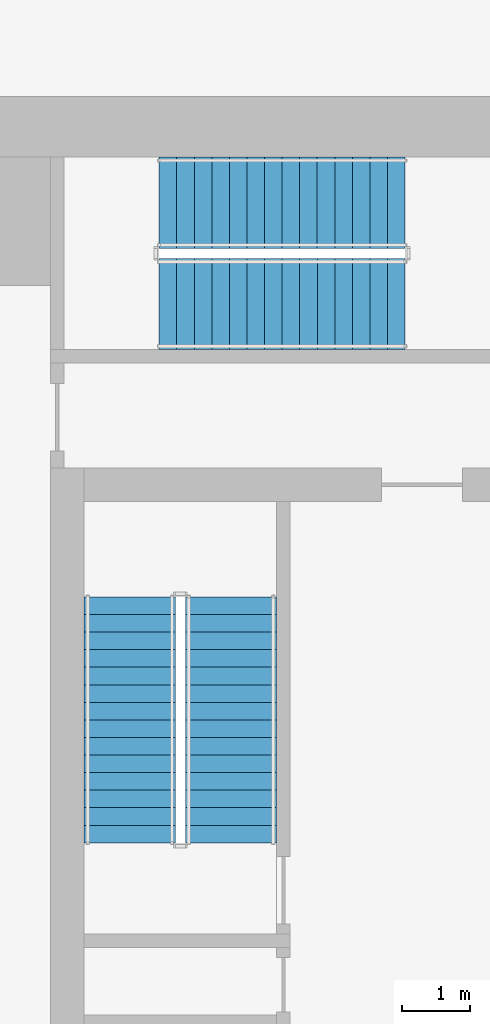
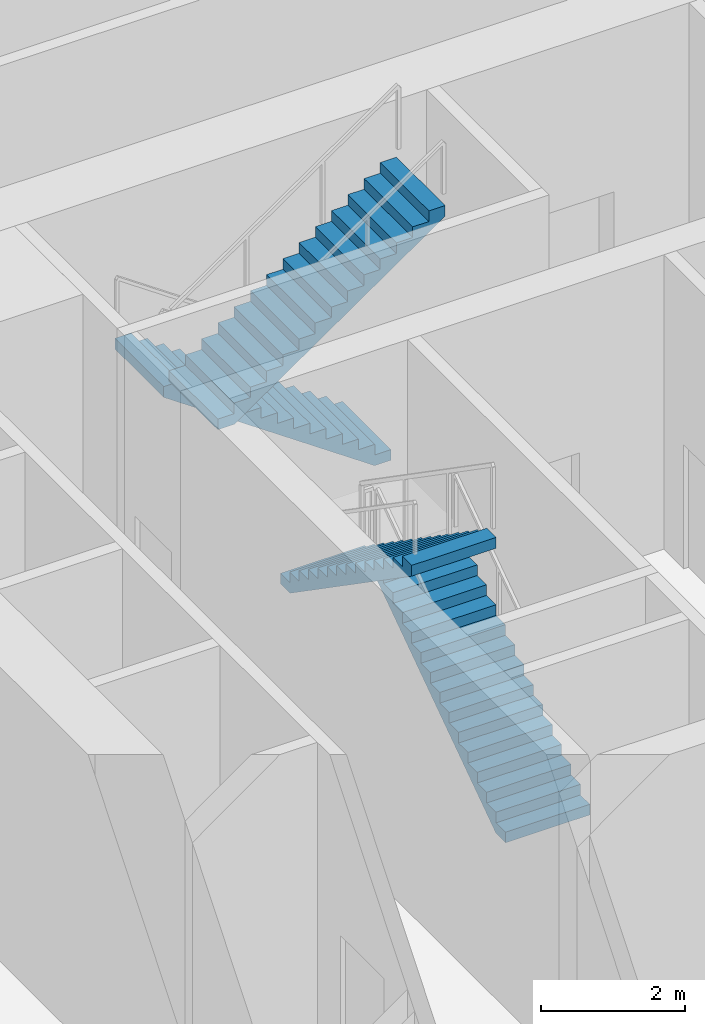
# One storey, part 12 of 17: 4 stair flights, 2 elements without a shape of their own.
"""IFC4 building model written with IfcOpenShell, lengths in metres."""

from ifc_helpers import new_model, si_unit, direction, frame, origin, place, context, subcontext, project, spatial, polyline, outline, extrude, material, type_object, element, aggregate, save


model = new_model("IFC4")

# Units and contexts
model_context = context("Model", 3, precision=1e-05, world=origin(), true_north=direction((0.0, 1.0)))
body_context = subcontext(model_context, "Body", "Model", "MODEL_VIEW")
ifc_project = project(units=[si_unit("LENGTHUNIT", "METRE"), si_unit("AREAUNIT", "SQUARE_METRE"), si_unit("VOLUMEUNIT", "CUBIC_METRE"), si_unit("PLANEANGLEUNIT", "RADIAN"), si_unit("MASSUNIT", "GRAM", prefix="KILO")], contexts=[model_context])

# Site, building, storey
site_placement = place(None, origin())
site = spatial("IfcSite", under=ifc_project, at=site_placement, CompositionType="ELEMENT")
building_placement = place(site_placement, origin())
building = spatial("IfcBuilding", under=site, at=building_placement, Name="Khepri Terraces", CompositionType="ELEMENT")
storey_placement = place(building_placement, frame((0.0, 0.0, 73.800048828125)))
storey = spatial("IfcBuildingStorey", under=building, at=storey_placement, Name="L17", CompositionType="ELEMENT", Elevation=73.800048828125)

# Stair, stair flights
ifc_material = material(Name="Concrete C40/50", Category="concrete")
stair_type = type_object("IfcStairType", Name="STAIR-RC-30R", PredefinedType="HALF_TURN_STAIR", material=ifc_material)
stair_1_placement = place(storey_placement, origin())
stair_1 = element("IfcStair", 1, at=stair_1_placement, inside=storey, type_object=stair_type, Name="L17 Exit Stair ST-1", PredefinedType="HALF_TURN_STAIR")
stair_flight_type = type_object("IfcStairFlightType", Name="SFL-RC-180", PredefinedType="STRAIGHT", material=ifc_material)
stair_flight_1_placement = place(storey_placement, frame((-2.824951171875, -0.050048828125, 0.0), z_axis=(0.0, 0.0, 1.0), x_axis=(0.0, 1.0, 0.0)))
stair_flight_1 = element("IfcStairFlight", 2, at=stair_flight_1_placement, type_object=stair_flight_type, Name="ST-1 flight 1", NumberOfRisers=15, NumberOfTreads=14, PredefinedType="STRAIGHT", RiserHeight=0.18, TreadLength=0.26, context=body_context, shape_type="SweptSolid", body=[
    extrude(outline(polyline([(0.0, 0.0), (0.0, 0.179931640625), (0.260009765625, 0.179931640625), (0.260009765625, 0.360107421875), (0.52001953125, 0.360107421875), (0.52001953125, 0.5400390625), (0.780029296875, 0.5400390625), (0.780029296875, 0.719970703125), (1.0400390625, 0.719970703125), (1.0400390625, 0.89990234375), (1.300048828125, 0.89990234375), (1.300048828125, 1.080078125), (1.56005859375, 1.080078125), (1.56005859375, 1.260009765625), (1.820068359375, 1.260009765625), (1.820068359375, 1.43994140625), (2.080078125, 1.43994140625), (2.080078125, 1.6201171875), (2.340087890625, 1.6201171875), (2.340087890625, 1.800048828125), (2.60009765625, 1.800048828125), (2.60009765625, 1.97998046875), (2.860107421875, 1.97998046875), (2.860107421875, 2.159912109375), (3.1201171875, 2.159912109375), (3.1201171875, 2.340087890625), (3.3798828125, 2.340087890625), (3.3798828125, 2.52001953125), (3.639892578125, 2.52001953125), (3.639892578125, 2.699951171875), (3.639892578125, 2.337646484375), (0.263427734375, 0.0), (0.0, 0.0)])), frame((0.0, 0.675048828125, 0.0), z_axis=(0.0, -1.0, 0.0), x_axis=(1.0, 0.0, 0.0)), (0.0, 0.0, 1.0), 1.35009765625),
])
stair_flight_2_placement = place(storey_placement, frame((-4.324951171875, 3.590087890625, 2.699951171875), z_axis=(0.0, 0.0, 1.0), x_axis=(0.0, -1.0, 0.0)))
stair_flight_2 = element("IfcStairFlight", 3, at=stair_flight_2_placement, type_object=stair_flight_type, Name="ST-1 flight 2", NumberOfRisers=15, NumberOfTreads=14, PredefinedType="STRAIGHT", RiserHeight=0.18, TreadLength=0.26, context=body_context, shape_type="SweptSolid", body=[
    extrude(outline(polyline([(0.0, 0.0), (0.0, 0.179931640625), (0.260009765625, 0.179931640625), (0.260009765625, 0.360107421875), (0.52001953125, 0.360107421875), (0.52001953125, 0.5400390625), (0.780029296875, 0.5400390625), (0.780029296875, 0.719970703125), (1.0400390625, 0.719970703125), (1.0400390625, 0.89990234375), (1.300048828125, 0.89990234375), (1.300048828125, 1.080078125), (1.56005859375, 1.080078125), (1.56005859375, 1.260009765625), (1.820068359375, 1.260009765625), (1.820068359375, 1.43994140625), (2.080078125, 1.43994140625), (2.080078125, 1.6201171875), (2.340087890625, 1.6201171875), (2.340087890625, 1.800048828125), (2.60009765625, 1.800048828125), (2.60009765625, 1.97998046875), (2.860107421875, 1.97998046875), (2.860107421875, 2.159912109375), (3.1201171875, 2.159912109375), (3.1201171875, 2.340087890625), (3.3798828125, 2.340087890625), (3.3798828125, 2.52001953125), (3.639892578125, 2.52001953125), (3.639892578125, 2.699951171875), (3.639892578125, 2.337646484375), (0.263427734375, 0.0), (0.0, 0.0)])), frame((0.0, 0.675048828125, 0.0), z_axis=(0.0, -1.0, 0.0), x_axis=(1.0, 0.0, 0.0)), (0.0, 0.0, 1.0), 1.35009765625),
])
aggregate(stair_1, [stair_flight_1, stair_flight_2])

stair_2_placement = place(storey_placement, origin())
stair_2 = element("IfcStair", 4, at=stair_2_placement, inside=storey, type_object=stair_type, Name="L17 Exit Stair ST-3", PredefinedType="HALF_TURN_STAIR")
stair_flight_3_placement = place(storey_placement, frame((-0.25, 9.425048828125, 0.0), z_axis=(0.0, 0.0, 1.0), x_axis=(-1.0, 0.0, 0.0)))
stair_flight_3 = element("IfcStairFlight", 5, at=stair_flight_3_placement, type_object=stair_flight_type, Name="ST-3 flight 1", NumberOfRisers=15, NumberOfTreads=14, PredefinedType="STRAIGHT", RiserHeight=0.18, TreadLength=0.26, context=body_context, shape_type="SweptSolid", body=[
    extrude(outline(polyline([(0.0, 0.0), (0.0, 0.179931640625), (0.260009765625, 0.179931640625), (0.260009765625, 0.360107421875), (0.52001953125, 0.360107421875), (0.52001953125, 0.5400390625), (0.780029296875, 0.5400390625), (0.780029296875, 0.719970703125), (1.0400390625, 0.719970703125), (1.0400390625, 0.89990234375), (1.300048828125, 0.89990234375), (1.300048828125, 1.080078125), (1.56005859375, 1.080078125), (1.56005859375, 1.260009765625), (1.820068359375, 1.260009765625), (1.820068359375, 1.43994140625), (2.080078125, 1.43994140625), (2.080078125, 1.6201171875), (2.340087890625, 1.6201171875), (2.340087890625, 1.800048828125), (2.60009765625, 1.800048828125), (2.60009765625, 1.97998046875), (2.860107421875, 1.97998046875), (2.860107421875, 2.159912109375), (3.1201171875, 2.159912109375), (3.1201171875, 2.340087890625), (3.3798828125, 2.340087890625), (3.3798828125, 2.52001953125), (3.639892578125, 2.52001953125), (3.639892578125, 2.699951171875), (3.639892578125, 2.337646484375), (0.263427734375, 0.0), (0.0, 0.0)])), frame((0.0, 0.675048828125, 0.0), z_axis=(0.0, -1.0, 0.0), x_axis=(1.0, 0.0, 0.0)), (0.0, 0.0, 1.0), 1.35009765625),
])
stair_flight_4_placement = place(storey_placement, frame((-3.889892578125, 7.925048828125, 2.699951171875), z_axis=(0.0, 0.0, 1.0), x_axis=(1.0, 0.0, 0.0)))
stair_flight_4 = element("IfcStairFlight", 6, at=stair_flight_4_placement, type_object=stair_flight_type, Name="ST-3 flight 2", NumberOfRisers=15, NumberOfTreads=14, PredefinedType="STRAIGHT", RiserHeight=0.18, TreadLength=0.26, context=body_context, shape_type="SweptSolid", body=[
    extrude(outline(polyline([(0.0, 0.0), (0.0, 0.179931640625), (0.260009765625, 0.179931640625), (0.260009765625, 0.360107421875), (0.52001953125, 0.360107421875), (0.52001953125, 0.5400390625), (0.780029296875, 0.5400390625), (0.780029296875, 0.719970703125), (1.0400390625, 0.719970703125), (1.0400390625, 0.89990234375), (1.300048828125, 0.89990234375), (1.300048828125, 1.080078125), (1.56005859375, 1.080078125), (1.56005859375, 1.260009765625), (1.820068359375, 1.260009765625), (1.820068359375, 1.43994140625), (2.080078125, 1.43994140625), (2.080078125, 1.6201171875), (2.340087890625, 1.6201171875), (2.340087890625, 1.800048828125), (2.60009765625, 1.800048828125), (2.60009765625, 1.97998046875), (2.860107421875, 1.97998046875), (2.860107421875, 2.159912109375), (3.1201171875, 2.159912109375), (3.1201171875, 2.340087890625), (3.3798828125, 2.340087890625), (3.3798828125, 2.52001953125), (3.639892578125, 2.52001953125), (3.639892578125, 2.699951171875), (3.639892578125, 2.337646484375), (0.263427734375, 0.0), (0.0, 0.0)])), frame((0.0, 0.675048828125, 0.0), z_axis=(0.0, -1.0, 0.0), x_axis=(1.0, 0.0, 0.0)), (0.0, 0.0, 1.0), 1.35009765625),
])
aggregate(stair_2, [stair_flight_3, stair_flight_4])

save(model, "model.ifc")
